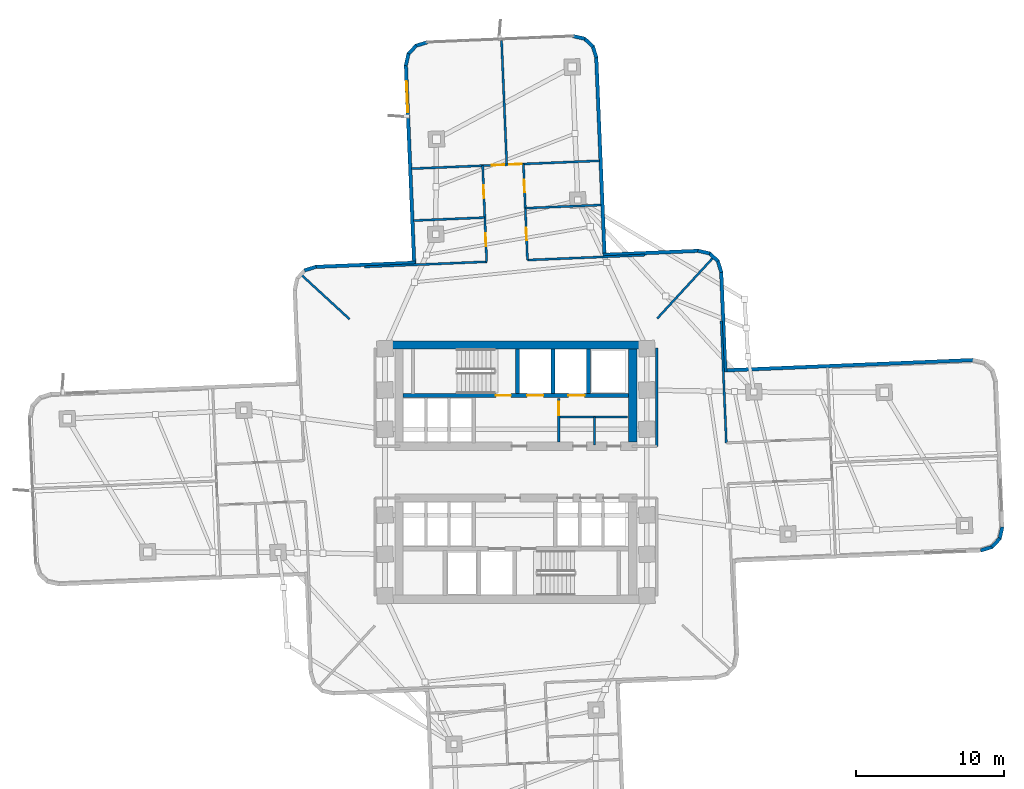
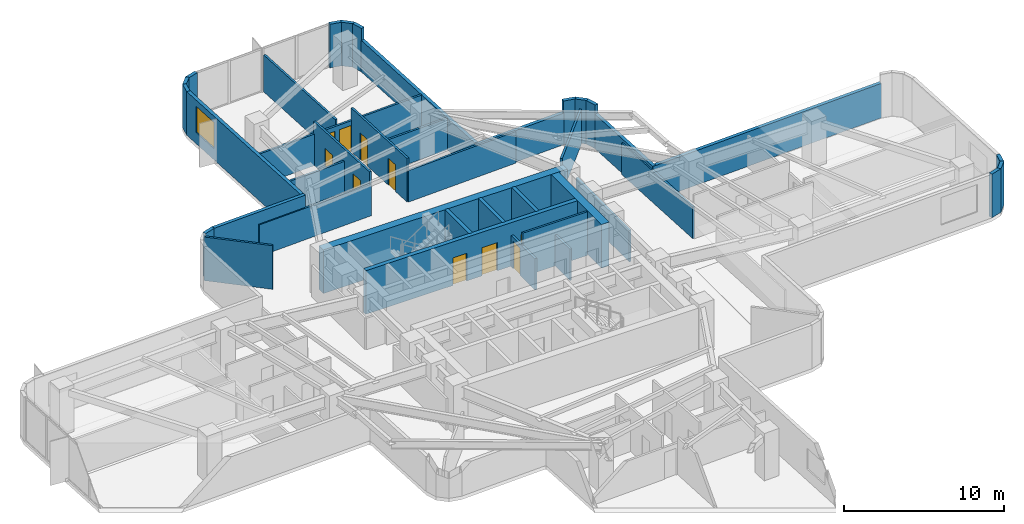
# One storey, part 10 of 15: 40 walls, 10 doors, 1 window, 11 openings.
"""IFC4 building model written with IfcOpenShell, lengths in metres."""

from ifc_helpers import new_model, si_unit, direction, frame, frame_2d, origin, place, context, subcontext, project, spatial, rectangle, extrude, material, layer, layer_set, type_object, element, fill, save


model = new_model("IFC4")

# Units and contexts
model_context = context("Model", 3, precision=1e-05, world=origin(), true_north=direction((0.0, 1.0)))
body_context = subcontext(model_context, "Body", "Model", "MODEL_VIEW")
ifc_project = project(units=[si_unit("LENGTHUNIT", "METRE"), si_unit("AREAUNIT", "SQUARE_METRE"), si_unit("VOLUMEUNIT", "CUBIC_METRE"), si_unit("PLANEANGLEUNIT", "RADIAN"), si_unit("MASSUNIT", "GRAM", prefix="KILO")], contexts=[model_context])

# Site, building, storey
site_placement = place(None, origin())
site = spatial("IfcSite", under=ifc_project, at=site_placement, CompositionType="ELEMENT")
building_placement = place(site_placement, origin())
building = spatial("IfcBuilding", under=site, at=building_placement, Name="Solmarez Civic Tower", CompositionType="ELEMENT")
storey_placement = place(building_placement, frame((0.0, 0.0, 46.080078125)))
storey = spatial("IfcBuildingStorey", under=building, at=storey_placement, Name="L11", CompositionType="ELEMENT", Elevation=46.080078125)

# Walls
ifc_material_1 = material(Name="Concrete C60/75", Category="concrete")
ifc_layer_1 = layer(ifc_material_1, 0.550048828125)
ifc_layer_set_1 = layer_set([ifc_layer_1], Name="Concrete C60/75")
wall_type_1 = type_object("IfcWallType", Name="WALL-CORE-550", PredefinedType="SHEAR", material=ifc_layer_set_1)
wall_1_placement = place(storey_placement, frame((-8.780029296875, 8.5849609375, 0.0), z_axis=(0.0, 0.0, 1.0), x_axis=(1.0, 0.0, 0.0)))
element("IfcWall", 1, at=wall_1_placement, inside=storey, type_object=wall_type_1, Name="L11 Split-Core Structural Wall NCW-N-L11", PredefinedType="SHEAR", context=body_context, shape_type="SweptSolid", body=[
    extrude(rectangle(XDim=17.56005859375, YDim=0.550048828125, at=frame_2d((8.780029296875, 0.0))), origin(), (0.0, 0.0, 1.0), 3.31982421875),
])
wall_2_placement = place(storey_placement, frame((7.89501953125, 8.31005859375, 0.0), z_axis=(0.0, 0.0, 1.0), x_axis=(0.0, -1.0, 0.0)))
element("IfcWall", 2, at=wall_2_placement, inside=storey, type_object=wall_type_1, Name="L11 Split-Core Structural Wall NCW-E-L11", PredefinedType="SHEAR", context=body_context, shape_type="SweptSolid", body=[
    extrude(rectangle(XDim=6.28515625, YDim=0.550048828125, at=frame_2d((3.142578125, 0.0))), origin(), (0.0, 0.0, 1.0), 3.31982421875),
])
ifc_material_2 = material(Name="Precast concrete C40/50", Category="concrete")
ifc_layer_2 = layer(ifc_material_2, 0.239990234375)
ifc_layer_set_2 = layer_set([ifc_layer_2], Name="Precast concrete C40/50")
wall_type_2 = type_object("IfcWallType", Name="WALL-EXT-240", PredefinedType="SOLIDWALL", material=ifc_layer_set_2)
wall_3_placement = place(storey_placement, frame((-14.2958984375, 13.635009765625, 0.0), z_axis=(0.0, 0.0, 1.0), x_axis=(0.954396284631, 0.298542680168, 0.0)))
element("IfcWall", 3, at=wall_3_placement, inside=storey, type_object=wall_type_2, Name="L11 Exterior Precast Wall 16", PredefinedType="SOLIDWALL", context=body_context, shape_type="SweptSolid", body=[
    extrude(rectangle(XDim=0.830810546875, YDim=0.239990234375, at=frame_2d((0.41552734375, 0.0))), origin(), (0.0, 0.0, 1.0), 3.31982421875),
])
wall_4_placement = place(storey_placement, frame((-13.552001953125, 13.875, 0.0), z_axis=(0.0, 0.0, 1.0), x_axis=(0.999127443157, 0.041765444226, 0.0)))
element("IfcWall", 4, at=wall_4_placement, inside=storey, type_object=wall_type_2, Name="L11 Exterior Precast Wall 17", PredefinedType="SOLIDWALL", context=body_context, shape_type="SweptSolid", body=[
    extrude(rectangle(XDim=6.77490234375, YDim=0.239990234375, at=frame_2d((3.387451171875, 0.0))), origin(), (0.0, 0.0, 1.0), 3.31982421875),
])

# Wall, opening, window
wall_5_placement = place(storey_placement, frame((-6.875, 14.05810546875, 0.0), z_axis=(0.0, 0.0, 1.0), x_axis=(-0.041850586852, 0.999123880397, 0.0)))
wall_5 = element("IfcWall", 5, at=wall_5_placement, inside=storey, type_object=wall_type_2, Name="L11 Exterior Precast Wall 20", PredefinedType="SOLIDWALL", context=body_context, shape_type="SweptSolid", body=[
    extrude(rectangle(XDim=13.4755859375, YDim=0.239990234375, at=frame_2d((6.73779296875, 0.0))), origin(), (0.0, 0.0, 1.0), 3.31982421875),
])
opening_1_placement = place(wall_5_placement, frame((10.27587890625, 0.0, 0.85009765625)))
opening_1 = element("IfcOpeningElement", 6, at=opening_1_placement, cuts=wall_5, Name="Opening W-03", PredefinedType="OPENING", context=body_context, shape_type="SweptSolid", body=[
    extrude(rectangle(XDim=2.10009765625, YDim=2.0, at=frame_2d((1.050048828125, 1.0))), frame((0.0, 0.1298828125, 0.0), z_axis=(0.0, -1.0, 0.0), x_axis=(1.0, 0.0, 0.0)), (0.0, 0.0, 1.0), 0.260009765625),
])
ifc_material_3 = material(Name="Solar Control Bronze-Tinted Insulating Glass", Category="glass")
window_type = type_object("IfcWindowType", Name="WIN-2100X2000", PartitioningType="SINGLE_PANEL", PredefinedType="WINDOW", material=ifc_material_3)
window_placement = place(opening_1_placement, origin())
window = element("IfcWindow", 7, at=window_placement, inside=storey, type_object=window_type, Name="L11 Exterior Facade Window 20", OverallHeight=2.0, OverallWidth=2.10009765625, PartitioningType="SINGLE_PANEL", PredefinedType="WINDOW", context=body_context, shape_type="SweptSolid", body=[
    extrude(rectangle(XDim=2.10009765625, YDim=2.0, at=frame_2d((1.050048828125, 1.0))), frame((0.0, 0.030029296875, 0.0), z_axis=(0.0, -1.0, 0.0), x_axis=(1.0, 0.0, 0.0)), (0.0, 0.0, 1.0), 0.06005859375),
])
fill(opening_1, window)

# Walls
wall_6_placement = place(storey_placement, frame((-7.443115234375, 27.472900390625, 0.0), z_axis=(0.0, 0.0, 1.0), x_axis=(0.21736704137, 0.976089939158, 0.0)))
element("IfcWall", 8, at=wall_6_placement, inside=storey, type_object=wall_type_2, Name="L11 Exterior Precast Wall 21", PredefinedType="SOLIDWALL", context=body_context, shape_type="SweptSolid", body=[
    extrude(rectangle(XDim=0.828857421875, YDim=0.239990234375, at=frame_2d((0.41455078125, 0.0))), origin(), (0.0, 0.0, 1.0), 3.31982421875),
])
wall_7_placement = place(storey_placement, frame((-7.284912109375, 28.239990234375, 0.0), z_axis=(0.0, 0.0, 1.0), x_axis=(0.676946063044, 0.73603262681, 0.0)))
element("IfcWall", 9, at=wall_7_placement, inside=storey, type_object=wall_type_2, Name="L11 Exterior Precast Wall 22", PredefinedType="SOLIDWALL", context=body_context, shape_type="SweptSolid", body=[
    extrude(rectangle(XDim=0.81396484375, YDim=0.239990234375, at=frame_2d((0.406982421875, 0.0))), origin(), (0.0, 0.0, 1.0), 3.31982421875),
])
wall_8_placement = place(storey_placement, frame((-6.77490234375, 28.81396484375, 0.0), z_axis=(0.0, 0.0, 1.0), x_axis=(0.954730695464, 0.297471509794, 0.0)))
element("IfcWall", 10, at=wall_8_placement, inside=storey, type_object=wall_type_2, Name="L11 Exterior Precast Wall 23", PredefinedType="SOLIDWALL", context=body_context, shape_type="SweptSolid", body=[
    extrude(rectangle(XDim=0.83056640625, YDim=0.239990234375, at=frame_2d((0.415283203125, 0.0))), origin(), (0.0, 0.0, 1.0), 3.31982421875),
])
wall_9_placement = place(storey_placement, frame((3.85009765625, 29.472900390625, 0.0), z_axis=(0.0, 0.0, 1.0), x_axis=(0.976138507006, -0.217148831773, 0.0)))
element("IfcWall", 11, at=wall_9_placement, inside=storey, type_object=wall_type_2, Name="L11 Exterior Precast Wall 25", PredefinedType="SOLIDWALL", context=body_context, shape_type="SweptSolid", body=[
    extrude(rectangle(XDim=0.82861328125, YDim=0.239990234375, at=frame_2d((0.414306640625, 0.0))), origin(), (0.0, 0.0, 1.0), 3.31982421875),
])
wall_10_placement = place(storey_placement, frame((4.616943359375, 29.31494140625, 0.0), z_axis=(0.0, 0.0, 1.0), x_axis=(0.735482115769, -0.677544136853, 0.0)))
element("IfcWall", 12, at=wall_10_placement, inside=storey, type_object=wall_type_2, Name="L11 Exterior Precast Wall 26", PredefinedType="SOLIDWALL", context=body_context, shape_type="SweptSolid", body=[
    extrude(rectangle(XDim=0.813232421875, YDim=0.239990234375, at=frame_2d((0.40673828125, 0.0))), origin(), (0.0, 0.0, 1.0), 3.31982421875),
])
wall_11_placement = place(storey_placement, frame((5.18994140625, 28.804931640625, 0.0), z_axis=(0.0, 0.0, 1.0), x_axis=(0.298542680168, -0.954396284631, 0.0)))
element("IfcWall", 13, at=wall_11_placement, inside=storey, type_object=wall_type_2, Name="L11 Exterior Precast Wall 27", PredefinedType="SOLIDWALL", context=body_context, shape_type="SweptSolid", body=[
    extrude(rectangle(XDim=0.830810546875, YDim=0.239990234375, at=frame_2d((0.41552734375, 0.0))), origin(), (0.0, 0.0, 1.0), 3.31982421875),
])
wall_12_placement = place(storey_placement, frame((5.429931640625, 28.06103515625, 0.0), z_axis=(0.0, 0.0, 1.0), x_axis=(0.041852859621, -0.999123785195, 0.0)))
element("IfcWall", 14, at=wall_12_placement, inside=storey, type_object=wall_type_2, Name="L11 Exterior Precast Wall 28", PredefinedType="SOLIDWALL", context=body_context, shape_type="SweptSolid", body=[
    extrude(rectangle(XDim=13.474853515625, YDim=0.239990234375, at=frame_2d((6.7373046875, 0.0))), origin(), (0.0, 0.0, 1.0), 2.40087890625),
])
wall_13_placement = place(storey_placement, frame((5.89404296875, 14.68994140625, 0.0), z_axis=(0.0, 0.0, 1.0), x_axis=(0.999124860845, 0.041827173477, 0.0)))
element("IfcWall", 15, at=wall_13_placement, inside=storey, type_object=wall_type_2, Name="L11 Exterior Precast Wall 31", PredefinedType="SOLIDWALL", context=body_context, shape_type="SweptSolid", body=[
    extrude(rectangle(XDim=6.45556640625, YDim=0.239990234375, at=frame_2d((3.227783203125, 0.0))), origin(), (0.0, 0.0, 1.0), 2.40087890625),
])
wall_14_placement = place(storey_placement, frame((12.294921875, 14.964111328125, 0.0), z_axis=(0.0, 0.0, 1.0), x_axis=(0.976089939158, -0.21736704137, 0.0)))
element("IfcWall", 16, at=wall_14_placement, inside=storey, type_object=wall_type_2, Name="L11 Exterior Precast Wall 32", PredefinedType="SOLIDWALL", context=body_context, shape_type="SweptSolid", body=[
    extrude(rectangle(XDim=0.828857421875, YDim=0.239990234375, at=frame_2d((0.41455078125, 0.0))), origin(), (0.0, 0.0, 1.0), 3.31982421875),
])
wall_15_placement = place(storey_placement, frame((13.06201171875, 14.805908203125, 0.0), z_axis=(0.0, 0.0, 1.0), x_axis=(0.735344259965, -0.677693750404, 0.0)))
element("IfcWall", 17, at=wall_15_placement, inside=storey, type_object=wall_type_2, Name="L11 Exterior Precast Wall 33", PredefinedType="SOLIDWALL", context=body_context, shape_type="SweptSolid", body=[
    extrude(rectangle(XDim=0.81298828125, YDim=0.239990234375, at=frame_2d((0.406494140625, 0.0))), origin(), (0.0, 0.0, 1.0), 3.31982421875),
])
wall_16_placement = place(storey_placement, frame((13.635009765625, 14.2958984375, 0.0), z_axis=(0.0, 0.0, 1.0), x_axis=(0.298542680168, -0.954396284631, 0.0)))
element("IfcWall", 18, at=wall_16_placement, inside=storey, type_object=wall_type_2, Name="L11 Exterior Precast Wall 34", PredefinedType="SOLIDWALL", context=body_context, shape_type="SweptSolid", body=[
    extrude(rectangle(XDim=0.830810546875, YDim=0.239990234375, at=frame_2d((0.41552734375, 0.0))), origin(), (0.0, 0.0, 1.0), 3.31982421875),
])
wall_17_placement = place(storey_placement, frame((13.875, 13.552001953125, 0.0), z_axis=(0.0, 0.0, 1.0), x_axis=(0.041765444226, -0.999127443157, 0.0)))
element("IfcWall", 19, at=wall_17_placement, inside=storey, type_object=wall_type_2, Name="L11 Exterior Precast Wall 35", PredefinedType="SOLIDWALL", context=body_context, shape_type="SweptSolid", body=[
    extrude(rectangle(XDim=6.77490234375, YDim=0.239990234375, at=frame_2d((3.387451171875, 0.0))), origin(), (0.0, 0.0, 1.0), 2.6240234375),
])
wall_18_placement = place(storey_placement, frame((14.05810546875, 6.875, 0.0), z_axis=(0.0, 0.0, 1.0), x_axis=(0.999124376175, 0.04183874918, 0.0)))
element("IfcWall", 20, at=wall_18_placement, inside=storey, type_object=wall_type_2, Name="L11 Exterior Precast Wall 38", PredefinedType="SOLIDWALL", context=body_context, shape_type="SweptSolid", body=[
    extrude(rectangle(XDim=16.875732421875, YDim=0.239990234375, at=frame_2d((8.43798828125, 0.0))), origin(), (0.0, 0.0, 1.0), 2.6240234375),
])
wall_19_placement = place(storey_placement, frame((32.8701171875, -3.70703125, 0.0), z_axis=(0.0, 0.0, 1.0), x_axis=(-0.21711735544, -0.976145508604, 0.0)))
element("IfcWall", 21, at=wall_19_placement, inside=storey, type_object=wall_type_2, Name="L11 Exterior Precast Wall 43", PredefinedType="SOLIDWALL", context=body_context, shape_type="SweptSolid", body=[
    extrude(rectangle(XDim=0.829833984375, YDim=0.239990234375, at=frame_2d((0.4150390625, 0.0))), origin(), (0.0, 0.0, 1.0), 3.31982421875),
])
wall_20_placement = place(storey_placement, frame((32.7119140625, -4.47509765625, 0.0), z_axis=(0.0, 0.0, 1.0), x_axis=(-0.677693750404, -0.735344259965, 0.0)))
element("IfcWall", 22, at=wall_20_placement, inside=storey, type_object=wall_type_2, Name="L11 Exterior Precast Wall 44", PredefinedType="SOLIDWALL", context=body_context, shape_type="SweptSolid", body=[
    extrude(rectangle(XDim=0.81298828125, YDim=0.239990234375, at=frame_2d((0.406494140625, 0.0))), origin(), (0.0, 0.0, 1.0), 3.31982421875),
])
wall_21_placement = place(storey_placement, frame((32.201904296875, -5.048095703125, 0.0), z_axis=(0.0, 0.0, 1.0), x_axis=(-0.954814146828, -0.297203541393, 0.0)))
element("IfcWall", 23, at=wall_21_placement, inside=storey, type_object=wall_type_2, Name="L11 Exterior Precast Wall 45", PredefinedType="SOLIDWALL", context=body_context, shape_type="SweptSolid", body=[
    extrude(rectangle(XDim=0.83056640625, YDim=0.239990234375, at=frame_2d((0.415283203125, 0.0))), origin(), (0.0, 0.0, 1.0), 3.31982421875),
])
ifc_material_4 = material(Name="Gypsum Board Acoustic Steel-Stud Partition", Category="steel")
ifc_layer_3 = layer(ifc_material_4, 0.14990234375)
ifc_layer_set_3 = layer_set([ifc_layer_3], Name="Gypsum Board Acoustic Steel-Stud Partition")
wall_type_3 = type_object("IfcWallType", Name="WALL-INT-FIRE-150", PredefinedType="PARTITIONING", material=ifc_layer_set_3)
wall_22_placement = place(storey_placement, frame((9.52001953125, 1.75, 0.0), z_axis=(0.0, 0.0, 1.0), x_axis=(0.0, 1.0, 0.0)))
element("IfcWall", 24, at=wall_22_placement, inside=storey, type_object=wall_type_3, Name="L11 Interior Partition CHW-L11-EN1", PredefinedType="PARTITIONING", context=body_context, shape_type="SweptSolid", body=[
    extrude(rectangle(XDim=6.6298828125, YDim=0.14990234375, at=frame_2d((3.31494140625, 0.0))), origin(), (0.0, 0.0, 1.0), 2.40087890625),
])
ifc_layer_4 = layer(ifc_material_4, 0.14501953125)
ifc_layer_set_4 = layer_set([ifc_layer_4], Name="Gypsum Board Acoustic Steel-Stud Partition")
wall_type_4 = type_object("IfcWallType", Name="WALL-INT-PART-150", PredefinedType="PARTITIONING", material=ifc_layer_set_4)
wall_23_placement = place(storey_placement, frame((9.5439453125, 10.3798828125, 0.0), z_axis=(0.0, 0.0, 1.0), x_axis=(0.676856513188, 0.736114977809, 0.0)))
element("IfcWall", 25, at=wall_23_placement, inside=storey, type_object=wall_type_4, Name="L11 Interior Partition PT-L11-QDIV-1", PredefinedType="PARTITIONING", context=body_context, shape_type="SweptSolid", body=[
    extrude(rectangle(XDim=5.5537109375, YDim=0.14501953125, at=frame_2d((2.77685546875, 0.0))), origin(), (0.0, 0.0, 1.0), 2.6240234375),
])
wall_24_placement = place(storey_placement, frame((-11.2451171875, 10.340087890625, 0.0), z_axis=(0.0, 0.0, 1.0), x_axis=(-0.736178820698, 0.676787074312, 0.0)))
element("IfcWall", 26, at=wall_24_placement, inside=storey, type_object=wall_type_4, Name="L11 Interior Partition PT-L11-QDIV-2", PredefinedType="PARTITIONING", context=body_context, shape_type="SweptSolid", body=[
    extrude(rectangle(XDim=4.3779296875, YDim=0.14501953125, at=frame_2d((2.18896484375, 0.0))), origin(), (0.0, 0.0, 1.0), 3.31982421875),
])
for number, where, z_axis, x_axis, name in (
    (27, (14.219970703125, 1.967041015625, 0.0), (0.0, 0.0, 1.0), (-0.041948565382, 0.99911977153, 0.0), "L11 Interior Partition PT-L11-E-EFL"),
    (28, (-1.967041015625, 14.219970703125, 0.0), (0.0, 0.0, 1.0), (-0.99911977153, -0.041948565382, 0.0), "L11 Interior Partition PT-L11-N-EFL"),
):
    element("IfcWall", number, at=place(storey_placement, frame(where, z_axis=z_axis, x_axis=x_axis)), inside=storey, type_object=wall_type_4, Name=name, PredefinedType="PARTITIONING", context=body_context, shape_type="SweptSolid", body=[
        extrude(rectangle(XDim=8.270263671875, YDim=0.14501953125, at=frame_2d((4.13525390625, 0.0))), origin(), (0.0, 0.0, 1.0), 2.40087890625),
    ])
wall_25_placement = place(storey_placement, frame((8.714111328125, 14.66796875, 0.0), z_axis=(0.0, 0.0, 1.0), x_axis=(-0.999122557945, -0.041882146625, 0.0)))
element("IfcWall", 29, at=wall_25_placement, inside=storey, type_object=wall_type_4, Name="L11 Interior Partition PT-L11-N-EFR", PredefinedType="PARTITIONING", context=body_context, shape_type="SweptSolid", body=[
    extrude(rectangle(XDim=7.951171875, YDim=0.14501953125, at=frame_2d((3.9755859375, 0.0))), origin(), (0.0, 0.0, 1.0), 2.40087890625),
])
wall_26_placement = place(storey_placement, frame((-2.1220703125, 17.2060546875, 0.0), z_axis=(0.0, 0.0, 1.0), x_axis=(-0.999119609111, -0.041952433648, 0.0)))
element("IfcWall", 30, at=wall_26_placement, inside=storey, type_object=wall_type_4, Name="L11 Interior Partition PT-L11-N-LM", PredefinedType="PARTITIONING", context=body_context, shape_type="SweptSolid", body=[
    extrude(rectangle(XDim=4.795166015625, YDim=0.14501953125, at=frame_2d((2.3974609375, 0.0))), origin(), (0.0, 0.0, 1.0), 2.40087890625),
])
wall_27_placement = place(storey_placement, frame((5.763916015625, 18.056884765625, 0.0), z_axis=(0.0, 0.0, 1.0), x_axis=(-0.999125612634, -0.041809211649, 0.0)))
element("IfcWall", 31, at=wall_27_placement, inside=storey, type_object=wall_type_4, Name="L11 Interior Partition PT-L11-N-RM", PredefinedType="PARTITIONING", context=body_context, shape_type="SweptSolid", body=[
    extrude(rectangle(XDim=5.115234375, YDim=0.14501953125, at=frame_2d((2.5576171875, 0.0))), origin(), (0.0, 0.0, 1.0), 2.40087890625),
])

# Wall, openings, doors
wall_28_placement = place(storey_placement, frame((-2.2490234375, 20.714111328125, 0.0), z_axis=(0.0, 0.0, 1.0), x_axis=(0.041843020894, -0.999124197286, 0.0)))
wall_28 = element("IfcWall", 32, at=wall_28_placement, inside=storey, type_object=wall_type_4, Name="L11 Interior Partition PT-L11-N-SL", PredefinedType="PARTITIONING", context=body_context, shape_type="SweptSolid", body=[
    extrude(rectangle(XDim=6.499755859375, YDim=0.14501953125, at=frame_2d((3.25, 0.0))), origin(), (0.0, 0.0, 1.0), 3.31982421875),
])
opening_2_placement = place(wall_28_placement, frame((4.574951171875, 0.0, 0.0)))
opening_2 = element("IfcOpeningElement", 33, at=opening_2_placement, cuts=wall_28, Name="Opening D-14", PredefinedType="OPENING", context=body_context, shape_type="SweptSolid", body=[
    extrude(rectangle(XDim=0.860107421875, YDim=2.0400390625, at=frame_2d((0.43017578125, 1.02001953125))), frame((0.0, 0.08251953125, 0.0), z_axis=(0.0, -1.0, 0.0), x_axis=(1.0, 0.0, 0.0)), (0.0, 0.0, 1.0), 0.1650390625),
])
opening_3_placement = place(wall_28_placement, frame((1.324951171875, 0.0, 0.0)))
opening_3 = element("IfcOpeningElement", 34, at=opening_3_placement, cuts=wall_28, Name="Opening D-14", PredefinedType="OPENING", context=body_context, shape_type="SweptSolid", body=[
    extrude(rectangle(XDim=0.860107421875, YDim=2.0400390625, at=frame_2d((0.43017578125, 1.02001953125))), frame((0.0, 0.08251953125, 0.0), z_axis=(0.0, -1.0, 0.0), x_axis=(1.0, 0.0, 0.0)), (0.0, 0.0, 1.0), 0.1650390625),
])
ifc_material_5 = material(Name="Timber Storage and Pantry Door", Category="wood")
door_type_1 = type_object("IfcDoorType", Name="DOOR-INT-850", OperationType="NOTDEFINED", PredefinedType="DOOR", material=ifc_material_5)
door_1_placement = place(opening_2_placement, origin())
door_1 = element("IfcDoor", 35, at=door_1_placement, inside=storey, type_object=door_type_1, Name="L11 Policy Administration Office First North Door", OperationType="SINGLE_SWING_LEFT", OverallHeight=2.0400390625, OverallWidth=0.860107421875, PredefinedType="DOOR", context=body_context, shape_type="SweptSolid", body=[
    extrude(rectangle(XDim=0.860107421875, YDim=2.0400390625, at=frame_2d((0.43017578125, 1.02001953125))), frame((0.0, 0.02490234375, 0.0), z_axis=(0.0, -1.0, 0.0), x_axis=(1.0, 0.0, 0.0)), (0.0, 0.0, 1.0), 0.050048828125),
])
fill(opening_2, door_1)
door_2_placement = place(opening_3_placement, origin())
door_2 = element("IfcDoor", 36, at=door_2_placement, inside=storey, type_object=door_type_1, Name="L11 Directorate Office Second North Door", OperationType="SINGLE_SWING_RIGHT", OverallHeight=2.0400390625, OverallWidth=0.860107421875, PredefinedType="DOOR", context=body_context, shape_type="SweptSolid", body=[
    extrude(rectangle(XDim=0.860107421875, YDim=2.0400390625, at=frame_2d((0.43017578125, 1.02001953125))), frame((0.0, 0.02490234375, 0.0), z_axis=(0.0, -1.0, 0.0), x_axis=(1.0, 0.0, 0.0)), (0.0, 0.0, 1.0), 0.050048828125),
])
fill(opening_3, door_2)

wall_29_placement = place(storey_placement, frame((0.780029296875, 14.3349609375, 0.0), z_axis=(0.0, 0.0, 1.0), x_axis=(-0.041836740669, 0.99912446028, 0.0)))
wall_29 = element("IfcWall", 37, at=wall_29_placement, inside=storey, type_object=wall_type_4, Name="L11 Interior Partition PT-L11-N-SR", PredefinedType="PARTITIONING", context=body_context, shape_type="SweptSolid", body=[
    extrude(rectangle(XDim=6.500732421875, YDim=0.14501953125, at=frame_2d((3.25048828125, 0.0))), origin(), (0.0, 0.0, 1.0), 3.31982421875),
])
opening_4_placement = place(wall_29_placement, frame((1.324951171875, 0.0, 0.0)))
opening_4 = element("IfcOpeningElement", 38, at=opening_4_placement, cuts=wall_29, Name="Opening D-14", PredefinedType="OPENING", context=body_context, shape_type="SweptSolid", body=[
    extrude(rectangle(XDim=0.860107421875, YDim=2.0400390625, at=frame_2d((0.43017578125, 1.02001953125))), frame((0.0, 0.08251953125, 0.0), z_axis=(0.0, -1.0, 0.0), x_axis=(1.0, 0.0, 0.0)), (0.0, 0.0, 1.0), 0.1650390625),
])
opening_5_placement = place(wall_29_placement, frame((4.574951171875, 0.0, 0.0)))
opening_5 = element("IfcOpeningElement", 39, at=opening_5_placement, cuts=wall_29, Name="Opening D-14", PredefinedType="OPENING", context=body_context, shape_type="SweptSolid", body=[
    extrude(rectangle(XDim=0.860107421875, YDim=2.0400390625, at=frame_2d((0.43017578125, 1.02001953125))), frame((0.0, 0.08251953125, 0.0), z_axis=(0.0, -1.0, 0.0), x_axis=(1.0, 0.0, 0.0)), (0.0, 0.0, 1.0), 0.1650390625),
])
door_3_placement = place(opening_4_placement, origin())
door_3 = element("IfcDoor", 40, at=door_3_placement, inside=storey, type_object=door_type_1, Name="L11 Legal Counselling Room Third North Door", OperationType="SINGLE_SWING_RIGHT", OverallHeight=2.0400390625, OverallWidth=0.860107421875, PredefinedType="DOOR", context=body_context, shape_type="SweptSolid", body=[
    extrude(rectangle(XDim=0.860107421875, YDim=2.0400390625, at=frame_2d((0.43017578125, 1.02001953125))), frame((0.0, 0.02490234375, 0.0), z_axis=(0.0, -1.0, 0.0), x_axis=(1.0, 0.0, 0.0)), (0.0, 0.0, 1.0), 0.050048828125),
])
fill(opening_4, door_3)
door_4_placement = place(opening_5_placement, origin())
door_4 = element("IfcDoor", 41, at=door_4_placement, inside=storey, type_object=door_type_1, Name="L11 Citizen Consultation Room Fourth North Door", OperationType="SINGLE_SWING_LEFT", OverallHeight=2.0400390625, OverallWidth=0.860107421875, PredefinedType="DOOR", context=body_context, shape_type="SweptSolid", body=[
    extrude(rectangle(XDim=0.860107421875, YDim=2.0400390625, at=frame_2d((0.43017578125, 1.02001953125))), frame((0.0, 0.02490234375, 0.0), z_axis=(0.0, -1.0, 0.0), x_axis=(1.0, 0.0, 0.0)), (0.0, 0.0, 1.0), 0.050048828125),
])
fill(opening_5, door_4)

# Wall
wall_30_placement = place(storey_placement, frame((-0.623046875, 20.842041015625, 0.0), z_axis=(0.0, 0.0, 1.0), x_axis=(-0.041805771438, 0.999125756586, 0.0)))
element("IfcWall", 42, at=wall_30_placement, inside=storey, type_object=wall_type_4, Name="L11 Interior Partition PT-L11-N-TM", PredefinedType="PARTITIONING", context=body_context, shape_type="SweptSolid", body=[
    extrude(rectangle(XDim=8.34521484375, YDim=0.14501953125, at=frame_2d((4.172607421875, 0.0))), origin(), (0.0, 0.0, 1.0), 2.81201171875),
])

# Wall, openings, doors
wall_31_placement = place(storey_placement, frame((-7.06005859375, 20.511962890625, 0.0), z_axis=(0.0, 0.0, 1.0), x_axis=(0.99912047737, 0.041931750497, 0.0)))
wall_31 = element("IfcWall", 43, at=wall_31_placement, inside=storey, type_object=wall_type_4, Name="L11 Interior Partition PT-L11-N-END", PredefinedType="PARTITIONING", context=body_context, shape_type="SweptSolid", body=[
    extrude(rectangle(XDim=12.710205078125, YDim=0.14501953125, at=frame_2d((6.35498046875, 0.0))), origin(), (0.0, 0.0, 1.0), 2.40087890625),
])
opening_6_placement = place(wall_31_placement, frame((6.614990234375, 0.0, 0.0)))
opening_6 = element("IfcOpeningElement", 44, at=opening_6_placement, cuts=wall_31, Name="Opening D-14", PredefinedType="OPENING", context=body_context, shape_type="SweptSolid", body=[
    extrude(rectangle(XDim=0.860107421875, YDim=2.0400390625, at=frame_2d((0.43017578125, 1.02001953125))), frame((0.0, 0.08251953125, 0.0), z_axis=(0.0, -1.0, 0.0), x_axis=(1.0, 0.0, 0.0)), (0.0, 0.0, 1.0), 0.1650390625),
])
opening_7_placement = place(wall_31_placement, frame((5.4150390625, 0.0, 0.0)))
opening_7 = element("IfcOpeningElement", 45, at=opening_7_placement, cuts=wall_31, Name="Opening D-14", PredefinedType="OPENING", context=body_context, shape_type="SweptSolid", body=[
    extrude(rectangle(XDim=0.860107421875, YDim=2.0400390625, at=frame_2d((0.43017578125, 1.02001953125))), frame((0.0, 0.08251953125, 0.0), z_axis=(0.0, -1.0, 0.0), x_axis=(1.0, 0.0, 0.0)), (0.0, 0.0, 1.0), 0.1650390625),
])
door_5_placement = place(opening_6_placement, origin())
door_5 = element("IfcDoor", 46, at=door_5_placement, inside=storey, type_object=door_type_1, Name="L11 Citizen Consultation Room Sixth North Door", OperationType="SINGLE_SWING_RIGHT", OverallHeight=2.0400390625, OverallWidth=0.860107421875, PredefinedType="DOOR", context=body_context, shape_type="SweptSolid", body=[
    extrude(rectangle(XDim=0.860107421875, YDim=2.0400390625, at=frame_2d((0.43017578125, 1.02001953125))), frame((0.0, 0.02490234375, 0.0), z_axis=(0.0, -1.0, 0.0), x_axis=(1.0, 0.0, 0.0)), (0.0, 0.0, 1.0), 0.050048828125),
])
fill(opening_6, door_5)
door_6_placement = place(opening_7_placement, origin())
door_6 = element("IfcDoor", 47, at=door_6_placement, inside=storey, type_object=door_type_1, Name="L11 Legal Counselling Room Fifth North Door", OperationType="SINGLE_SWING_LEFT", OverallHeight=2.0400390625, OverallWidth=0.860107421875, PredefinedType="DOOR", context=body_context, shape_type="SweptSolid", body=[
    extrude(rectangle(XDim=0.860107421875, YDim=2.0400390625, at=frame_2d((0.43017578125, 1.02001953125))), frame((0.0, 0.02490234375, 0.0), z_axis=(0.0, -1.0, 0.0), x_axis=(1.0, 0.0, 0.0)), (0.0, 0.0, 1.0), 0.050048828125),
])
fill(opening_7, door_6)

# Wall, opening, door
ifc_layer_5 = layer(ifc_material_4, 0.159912109375)
ifc_layer_set_5 = layer_set([ifc_layer_5], Name="Gypsum Board Acoustic Steel-Stud Partition")
wall_type_5 = type_object("IfcWallType", Name="WALL-INT-SHAFT-160", PredefinedType="PARTITIONING", material=ifc_layer_set_5)
wall_32_placement = place(storey_placement, frame((2.89990234375, 2.0400390625, 0.0), z_axis=(0.0, 0.0, 1.0), x_axis=(0.0, 1.0, 0.0)))
wall_32 = element("IfcWall", 48, at=wall_32_placement, inside=storey, type_object=wall_type_5, Name="L11 Interior Partition SHW-NL2-L11", PredefinedType="PARTITIONING", context=body_context, shape_type="SweptSolid", body=[
    extrude(rectangle(XDim=2.93994140625, YDim=0.159912109375, at=frame_2d((1.469970703125, 0.0))), origin(), (0.0, 0.0, 1.0), 2.385009765625),
])
opening_8_placement = place(wall_32_placement, frame((1.820068359375, 0.0, 0.0)))
opening_8 = element("IfcOpeningElement", 49, at=opening_8_placement, cuts=wall_32, Name="Opening D-09", PredefinedType="OPENING", context=body_context, shape_type="SweptSolid", body=[
    extrude(rectangle(XDim=0.89990234375, YDim=2.06005859375, at=frame_2d((0.449951171875, 1.030029296875))), frame((0.0, 0.08984375, 0.0), z_axis=(0.0, -1.0, 0.0), x_axis=(1.0, 0.0, 0.0)), (0.0, 0.0, 1.0), 0.179931640625),
])
ifc_material_6 = material(Name="Fire-Rated Service Core Door", Category="wood")
door_type_2 = type_object("IfcDoorType", Name="DOOR-FD60-900", OperationType="NOTDEFINED", PredefinedType="DOOR", material=ifc_material_6)
door_7_placement = place(opening_8_placement, origin())
door_7 = element("IfcDoor", 50, at=door_7_placement, inside=storey, type_object=door_type_2, Name="L11 Service Lift Lobby Door", OperationType="SINGLE_SWING_LEFT", OverallHeight=2.06005859375, OverallWidth=0.89990234375, PredefinedType="DOOR", context=body_context, shape_type="SweptSolid", body=[
    extrude(rectangle(XDim=0.89990234375, YDim=2.06005859375, at=frame_2d((0.449951171875, 1.030029296875))), frame((0.0, 0.02490234375, 0.0), z_axis=(0.0, -1.0, 0.0), x_axis=(1.0, 0.0, 0.0)), (0.0, 0.0, 1.0), 0.050048828125),
])
fill(opening_8, door_7)

# Walls
ifc_layer_6 = layer(ifc_material_4, 0.137939453125)
ifc_layer_set_6 = layer_set([ifc_layer_6], Name="Gypsum Board Acoustic Steel-Stud Partition")
wall_type_6 = type_object("IfcWallType", Name="WALL-INT-WET-140", PredefinedType="PARTITIONING", material=ifc_layer_set_6)
wall_33_placement = place(storey_placement, frame((2.89990234375, 3.739990234375, 0.0), z_axis=(0.0, 0.0, 1.0), x_axis=(1.0, 0.0, 0.0)))
element("IfcWall", 51, at=wall_33_placement, inside=storey, type_object=wall_type_6, Name="L11 Interior Partition SHW-SVH-L11", PredefinedType="PARTITIONING", context=body_context, shape_type="SweptSolid", body=[
    extrude(rectangle(XDim=4.650146484375, YDim=0.137939453125, at=frame_2d((2.3251953125, 0.0))), origin(), (0.0, 0.0, 1.0), 3.31982421875),
])
wall_34_placement = place(storey_placement, frame((5.300048828125, 1.85009765625, 0.0), z_axis=(0.0, 0.0, 1.0), x_axis=(0.0, 1.0, 0.0)))
element("IfcWall", 52, at=wall_34_placement, inside=storey, type_object=wall_type_6, Name="L11 Interior Partition PT-NCSV-L11", PredefinedType="PARTITIONING", context=body_context, shape_type="SweptSolid", body=[
    extrude(rectangle(XDim=1.889892578125, YDim=0.137939453125, at=frame_2d((0.94482421875, 0.0))), origin(), (0.0, 0.0, 1.0), 2.385009765625),
])

# Wall, openings, doors
ifc_material_7 = material(Name="Concrete C50/60", Category="concrete")
ifc_layer_7 = layer(ifc_material_7, 0.300048828125)
ifc_layer_set_7 = layer_set([ifc_layer_7], Name="Concrete C50/60")
wall_type_7 = type_object("IfcWallType", Name="WALL-STR-300", PredefinedType="SOLIDWALL", material=ifc_layer_set_7)
wall_35_placement = place(storey_placement, frame((7.6201171875, 5.179931640625, 0.0), z_axis=(0.0, 0.0, 1.0), x_axis=(-1.0, 0.0, 0.0)))
wall_35 = element("IfcWall", 53, at=wall_35_placement, inside=storey, type_object=wall_type_7, Name="L11 Split-Core Structural Wall NCW-M-L11", PredefinedType="SOLIDWALL", context=body_context, shape_type="SweptSolid", body=[
    extrude(rectangle(XDim=15.240234375, YDim=0.300048828125, at=frame_2d((7.6201171875, 0.0))), origin(), (0.0, 0.0, 1.0), 3.31982421875),
])
opening_9_placement = place(wall_35_placement, frame((5.77001953125, 0.0, 0.0)))
opening_9 = element("IfcOpeningElement", 54, at=opening_9_placement, cuts=wall_35, Name="Opening LD-02", PredefinedType="OPENING", context=body_context, shape_type="SweptSolid", body=[
    extrude(rectangle(XDim=1.10009765625, YDim=2.14990234375, at=frame_2d((0.550048828125, 1.074951171875))), frame((0.0, 0.159912109375, 0.0), z_axis=(0.0, -1.0, 0.0), x_axis=(1.0, 0.0, 0.0)), (0.0, 0.0, 1.0), 0.320068359375),
])
opening_10_placement = place(wall_35_placement, frame((2.969970703125, 0.0, 0.0)))
opening_10 = element("IfcOpeningElement", 55, at=opening_10_placement, cuts=wall_35, Name="Opening LD-03", PredefinedType="OPENING", context=body_context, shape_type="SweptSolid", body=[
    extrude(rectangle(XDim=1.10009765625, YDim=2.14990234375, at=frame_2d((0.550048828125, 1.074951171875))), frame((0.0, 0.159912109375, 0.0), z_axis=(0.0, -1.0, 0.0), x_axis=(1.0, 0.0, 0.0)), (0.0, 0.0, 1.0), 0.320068359375),
])
opening_11_placement = place(wall_35_placement, frame((7.969970703125, 0.0, 0.0)))
opening_11 = element("IfcOpeningElement", 56, at=opening_11_placement, cuts=wall_35, Name="Opening D-05", PredefinedType="OPENING", context=body_context, shape_type="SweptSolid", body=[
    extrude(rectangle(XDim=1.0, YDim=2.10009765625, at=frame_2d((0.5, 1.050048828125))), frame((0.0, 0.159912109375, 0.0), z_axis=(0.0, -1.0, 0.0), x_axis=(1.0, 0.0, 0.0)), (0.0, 0.0, 1.0), 0.320068359375),
])
ifc_material_8 = material(Name="Fire-Rated Stairwell Exit Door", Category="wood")
door_type_3 = type_object("IfcDoorType", Name="DOOR-FD90-1000", OperationType="NOTDEFINED", PredefinedType="DOOR", material=ifc_material_8)
door_8_placement = place(opening_11_placement, origin())
door_8 = element("IfcDoor", 57, at=door_8_placement, inside=storey, type_object=door_type_3, Name="L11 North Exit Stair Door ST-1", OperationType="SINGLE_SWING_RIGHT", OverallHeight=2.10009765625, OverallWidth=1.0, PredefinedType="DOOR", context=body_context, shape_type="SweptSolid", body=[
    extrude(rectangle(XDim=1.0, YDim=2.10009765625, at=frame_2d((0.5, 1.050048828125))), frame((0.0, 0.02490234375, 0.0), z_axis=(0.0, -1.0, 0.0), x_axis=(1.0, 0.0, 0.0)), (0.0, 0.0, 1.0), 0.050048828125),
])
fill(opening_11, door_8)
ifc_material_9 = material(Name="Stainless Firefighting Lift Landing Sliding Door", Category="aluminium")
door_type_4 = type_object("IfcDoorType", Name="DOOR-LD-FF-1100", OperationType="DOUBLE_DOOR_SLIDING", PredefinedType="DOOR", material=ifc_material_9)
door_9_placement = place(opening_9_placement, origin())
door_9 = element("IfcDoor", 58, at=door_9_placement, inside=storey, type_object=door_type_4, Name="L11 Firefighting Lift Landing Door FFL-1", OperationType="DOUBLE_DOOR_SLIDING", OverallHeight=2.14990234375, OverallWidth=1.10009765625, PredefinedType="DOOR", context=body_context, shape_type="SweptSolid", body=[
    extrude(rectangle(XDim=1.10009765625, YDim=2.14990234375, at=frame_2d((0.550048828125, 1.074951171875))), frame((0.0, 0.02490234375, 0.0), z_axis=(0.0, -1.0, 0.0), x_axis=(1.0, 0.0, 0.0)), (0.0, 0.0, 1.0), 0.050048828125),
])
fill(opening_9, door_9)
ifc_material_10 = material(Name="Stainless Stretcher Lift Landing Sliding Door", Category="aluminium")
door_type_5 = type_object("IfcDoorType", Name="DOOR-LD-SV-1100", OperationType="DOUBLE_DOOR_SLIDING", PredefinedType="DOOR", material=ifc_material_10)
door_10_placement = place(opening_10_placement, origin())
door_10 = element("IfcDoor", 59, at=door_10_placement, inside=storey, type_object=door_type_5, Name="L11 Service Stretcher Lift Landing Door SVL-1", OperationType="DOUBLE_DOOR_SLIDING", OverallHeight=2.14990234375, OverallWidth=1.10009765625, PredefinedType="DOOR", context=body_context, shape_type="SweptSolid", body=[
    extrude(rectangle(XDim=1.10009765625, YDim=2.14990234375, at=frame_2d((0.550048828125, 1.074951171875))), frame((0.0, 0.02490234375, 0.0), z_axis=(0.0, -1.0, 0.0), x_axis=(1.0, 0.0, 0.0)), (0.0, 0.0, 1.0), 0.050048828125),
])
fill(opening_10, door_10)

# Walls
for number, where, z_axis, x_axis, name in (
    (60, (0.10009765625, 5.300048828125, 0.0), (0.0, 0.0, 1.0), (0.0, 1.0, 0.0), "L11 Split-Core Structural Wall SHW-N1-L11"),
    (61, (2.5, 5.300048828125, 0.0), (0.0, 0.0, 1.0), (0.0, 1.0, 0.0), "L11 Split-Core Structural Wall SHW-N2-L11"),
    (62, (4.89990234375, 5.300048828125, 0.0), (0.0, 0.0, 1.0), (0.0, 1.0, 0.0), "L11 Split-Core Structural Wall SHW-N3-L11"),
):
    element("IfcWall", number, at=place(storey_placement, frame(where, z_axis=z_axis, x_axis=x_axis)), inside=storey, type_object=wall_type_7, Name=name, PredefinedType="SOLIDWALL", context=body_context, shape_type="SweptSolid", body=[
        extrude(rectangle(XDim=3.0400390625, YDim=0.25, at=frame_2d((1.52001953125, 0.0))), origin(), (0.0, 0.0, 1.0), 3.31982421875),
    ])

save(model, "model.ifc")
